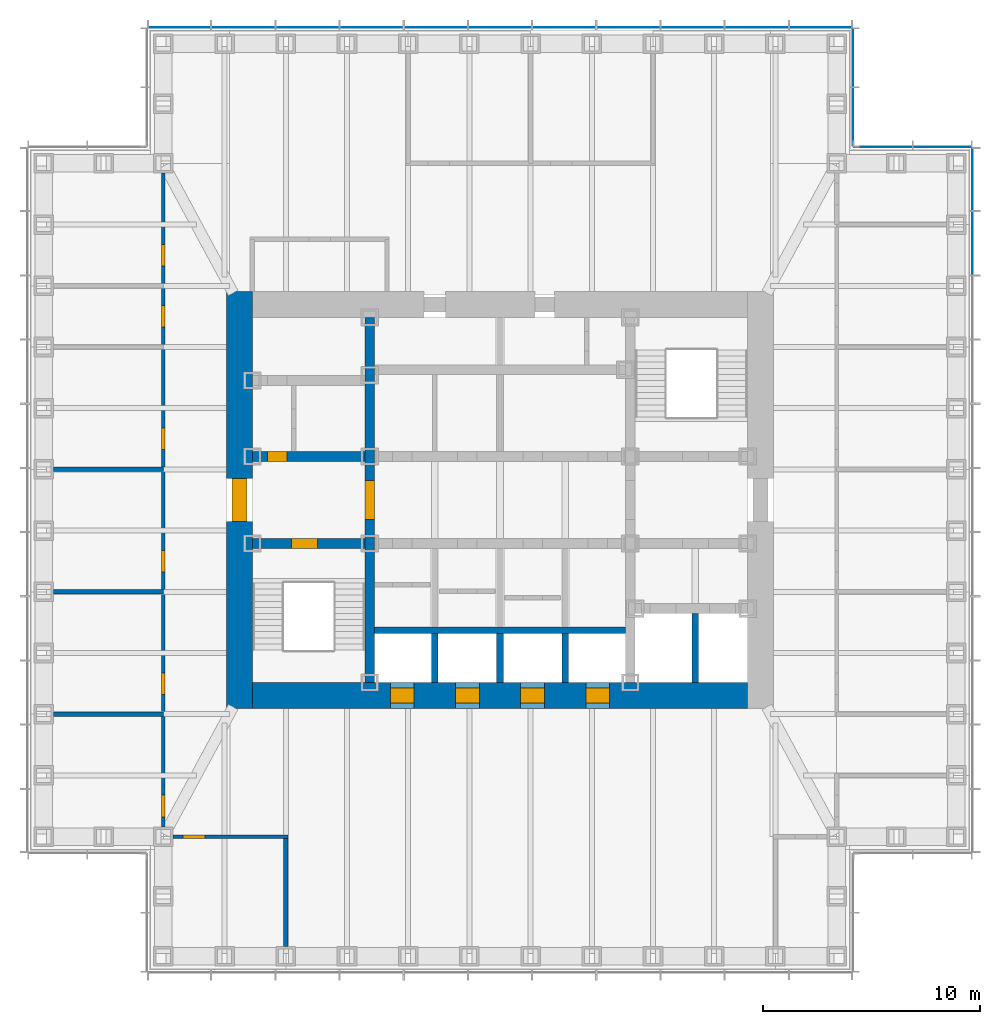
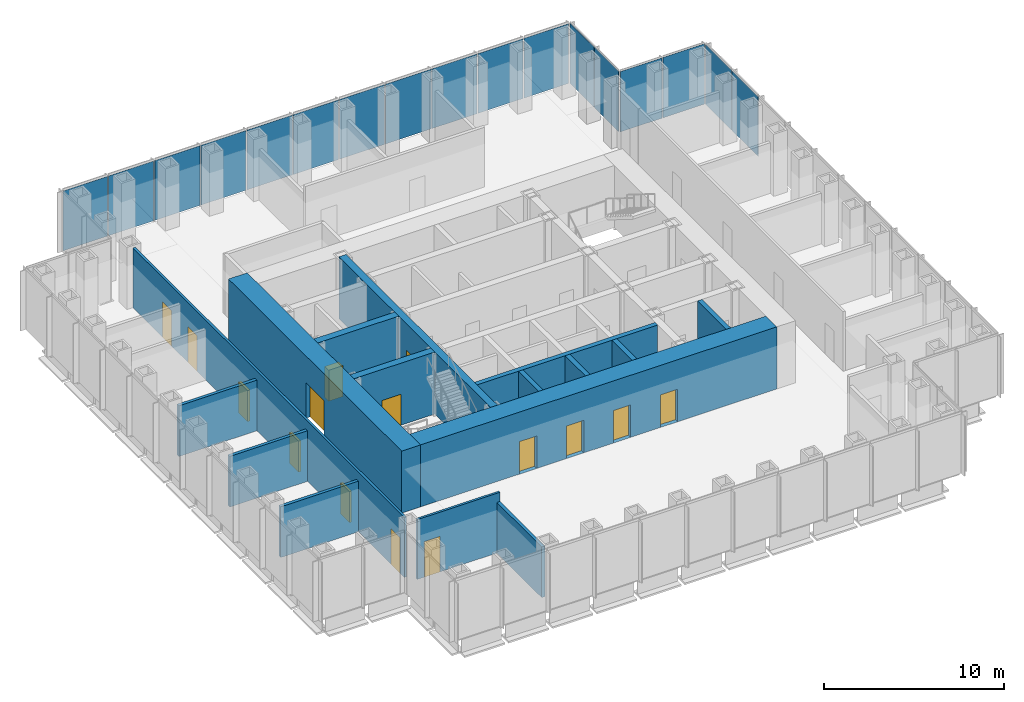
# One storey, part 8 of 16: 17 plates, 16 walls, 15 doors, 15 openings, 4 elements without a shape of their own.
"""IFC4 building model written with IfcOpenShell, lengths in metres."""

from ifc_helpers import new_model, si_unit, direction, frame, frame_2d, origin, origin_2d, place, context, subcontext, project, spatial, rectangle, extrude, material, layer, layer_set, type_object, element, fill, aggregate, save


model = new_model("IFC4")

# Units and contexts
model_context = context("Model", 3, precision=1e-05, world=origin(), true_north=direction((0.0, 1.0)))
body_context = subcontext(model_context, "Body", "Model", "MODEL_VIEW")
ifc_project = project(units=[si_unit("LENGTHUNIT", "METRE"), si_unit("AREAUNIT", "SQUARE_METRE"), si_unit("VOLUMEUNIT", "CUBIC_METRE"), si_unit("PLANEANGLEUNIT", "RADIAN"), si_unit("MASSUNIT", "GRAM", prefix="KILO")], contexts=[model_context])

# Site, building, storey
site_placement = place(None, origin())
site = spatial("IfcSite", under=ifc_project, at=site_placement, CompositionType="ELEMENT")
building_placement = place(site_placement, origin())
building = spatial("IfcBuilding", under=site, at=building_placement, Name="Daluyong Arena Tower", CompositionType="ELEMENT")
storey_placement = place(building_placement, frame((0.0, 0.0, 189.699951171875)))
storey = spatial("IfcBuildingStorey", under=building, at=storey_placement, Name="L42", CompositionType="ELEMENT", Elevation=189.699951171875)

# Curtain wall, plates
ifc_material_1 = material(Name="Bronze anodised aluminium and glass", Category="aluminium")
curtain_wall_type_1 = type_object("IfcCurtainWallType", Name="Curtain wall CW3", PredefinedType="USERDEFINED", material=ifc_material_1)
curtain_wall_1_placement = place(storey_placement, origin())
curtain_wall_1 = element("IfcCurtainWall", 1, at=curtain_wall_1_placement, inside=storey, type_object=curtain_wall_type_1, Name="curtain wall L42 E", ObjectType="UNITISED CURTAIN WALL", PredefinedType="USERDEFINED")
ifc_material_2 = material(Name="Tinted double glazed unit", Category="glass")
ifc_layer_1 = layer(ifc_material_2, 0.030029296875)
ifc_layer_set_1 = layer_set([ifc_layer_1], Name="Tinted double glazed unit")
plate_type_1 = type_object("IfcPlateType", Name="CW3 panel 30", PredefinedType="CURTAIN_PANEL", material=ifc_layer_set_1)
plate_1_placement = place(storey_placement, frame((77.75, 91.818115234375, 0.0), z_axis=(0.0, 0.0, 1.0), x_axis=(0.0, 1.0, 0.0)))
plate_1 = element("IfcPlate", 2, at=plate_1_placement, type_object=plate_type_1, Name="curtain wall L42 E panel 10", PredefinedType="CURTAIN_PANEL", context=body_context, shape_type="SweptSolid", body=[
    extrude(rectangle(XDim=2.884521484375, YDim=0.030029296875, at=origin_2d()), origin(), (0.0, 0.0, 1.0), 4.0400390625),
])
plate_2_placement = place(storey_placement, frame((77.75, 94.755126953125, 0.0), z_axis=(0.0, 0.0, 1.0), x_axis=(0.0, 1.0, 0.0)))
plate_2 = element("IfcPlate", 3, at=plate_2_placement, type_object=plate_type_1, Name="curtain wall L42 E panel 11", PredefinedType="CURTAIN_PANEL", context=body_context, shape_type="SweptSolid", body=[
    extrude(rectangle(XDim=2.849609375, YDim=0.030029296875, at=origin_2d()), origin(), (0.0, 0.0, 1.0), 4.0400390625),
])
aggregate(curtain_wall_1, [plate_1, plate_2])

curtain_wall_2_placement = place(storey_placement, origin())
curtain_wall_2 = element("IfcCurtainWall", 4, at=curtain_wall_2_placement, inside=storey, type_object=curtain_wall_type_1, Name="curtain wall L42 N", ObjectType="UNITISED CURTAIN WALL", PredefinedType="USERDEFINED")
plate_3_placement = place(storey_placement, frame((70.755126953125, 101.75, 0.0), z_axis=(0.0, 0.0, 1.0), x_axis=(-1.0, 0.0, 0.0)))
plate_3 = element("IfcPlate", 5, at=plate_3_placement, type_object=plate_type_1, Name="curtain wall L42 N panel 1", PredefinedType="CURTAIN_PANEL", context=body_context, shape_type="SweptSolid", body=[
    extrude(rectangle(XDim=2.849609375, YDim=0.030029296875, at=origin_2d()), origin(), (0.0, 0.0, 1.0), 4.0400390625),
])
plate_4_placement = place(storey_placement, frame((67.818115234375, 101.75, 0.0), z_axis=(0.0, 0.0, 1.0), x_axis=(-1.0, 0.0, 0.0)))
plate_4 = element("IfcPlate", 6, at=plate_4_placement, type_object=plate_type_1, Name="curtain wall L42 N panel 2", PredefinedType="CURTAIN_PANEL", context=body_context, shape_type="SweptSolid", body=[
    extrude(rectangle(XDim=2.884521484375, YDim=0.030029296875, at=origin_2d()), origin(), (0.0, 0.0, 1.0), 4.0400390625),
])
plate_5_placement = place(storey_placement, frame((64.863525390625, 101.75, 0.0), z_axis=(0.0, 0.0, 1.0), x_axis=(-1.0, 0.0, 0.0)))
plate_5 = element("IfcPlate", 7, at=plate_5_placement, type_object=plate_type_1, Name="curtain wall L42 N panel 3", PredefinedType="CURTAIN_PANEL", context=body_context, shape_type="SweptSolid", body=[
    extrude(rectangle(XDim=2.884521484375, YDim=0.030029296875, at=origin_2d()), origin(), (0.0, 0.0, 1.0), 4.0400390625),
])
plate_6_placement = place(storey_placement, frame((61.9091796875, 101.75, 0.0), z_axis=(0.0, 0.0, 1.0), x_axis=(-1.0, 0.0, 0.0)))
plate_6 = element("IfcPlate", 8, at=plate_6_placement, type_object=plate_type_1, Name="curtain wall L42 N panel 4", PredefinedType="CURTAIN_PANEL", context=body_context, shape_type="SweptSolid", body=[
    extrude(rectangle(XDim=2.884521484375, YDim=0.030029296875, at=origin_2d()), origin(), (0.0, 0.0, 1.0), 4.0400390625),
])
plate_7_placement = place(storey_placement, frame((58.95458984375, 101.75, 0.0), z_axis=(0.0, 0.0, 1.0), x_axis=(-1.0, 0.0, 0.0)))
plate_7 = element("IfcPlate", 9, at=plate_7_placement, type_object=plate_type_1, Name="curtain wall L42 N panel 5", PredefinedType="CURTAIN_PANEL", context=body_context, shape_type="SweptSolid", body=[
    extrude(rectangle(XDim=2.884521484375, YDim=0.030029296875, at=origin_2d()), origin(), (0.0, 0.0, 1.0), 4.0400390625),
])
plate_8_placement = place(storey_placement, frame((56.0, 101.75, 0.0), z_axis=(0.0, 0.0, 1.0), x_axis=(-1.0, 0.0, 0.0)))
plate_8 = element("IfcPlate", 10, at=plate_8_placement, type_object=plate_type_1, Name="curtain wall L42 N panel 6", PredefinedType="CURTAIN_PANEL", context=body_context, shape_type="SweptSolid", body=[
    extrude(rectangle(XDim=2.884521484375, YDim=0.030029296875, at=origin_2d()), origin(), (0.0, 0.0, 1.0), 4.0400390625),
])
plate_9_placement = place(storey_placement, frame((53.04541015625, 101.75, 0.0), z_axis=(0.0, 0.0, 1.0), x_axis=(-1.0, 0.0, 0.0)))
plate_9 = element("IfcPlate", 11, at=plate_9_placement, type_object=plate_type_1, Name="curtain wall L42 N panel 7", PredefinedType="CURTAIN_PANEL", context=body_context, shape_type="SweptSolid", body=[
    extrude(rectangle(XDim=2.884521484375, YDim=0.030029296875, at=origin_2d()), origin(), (0.0, 0.0, 1.0), 4.0400390625),
])
plate_10_placement = place(storey_placement, frame((50.0908203125, 101.75, 0.0), z_axis=(0.0, 0.0, 1.0), x_axis=(-1.0, 0.0, 0.0)))
plate_10 = element("IfcPlate", 12, at=plate_10_placement, type_object=plate_type_1, Name="curtain wall L42 N panel 8", PredefinedType="CURTAIN_PANEL", context=body_context, shape_type="SweptSolid", body=[
    extrude(rectangle(XDim=2.884521484375, YDim=0.030029296875, at=origin_2d()), origin(), (0.0, 0.0, 1.0), 4.0400390625),
])
plate_11_placement = place(storey_placement, frame((47.136474609375, 101.75, 0.0), z_axis=(0.0, 0.0, 1.0), x_axis=(-1.0, 0.0, 0.0)))
plate_11 = element("IfcPlate", 13, at=plate_11_placement, type_object=plate_type_1, Name="curtain wall L42 N panel 9", PredefinedType="CURTAIN_PANEL", context=body_context, shape_type="SweptSolid", body=[
    extrude(rectangle(XDim=2.884521484375, YDim=0.030029296875, at=origin_2d()), origin(), (0.0, 0.0, 1.0), 4.0400390625),
])
plate_12_placement = place(storey_placement, frame((44.181884765625, 101.75, 0.0), z_axis=(0.0, 0.0, 1.0), x_axis=(-1.0, 0.0, 0.0)))
plate_12 = element("IfcPlate", 14, at=plate_12_placement, type_object=plate_type_1, Name="curtain wall L42 N panel 10", PredefinedType="CURTAIN_PANEL", context=body_context, shape_type="SweptSolid", body=[
    extrude(rectangle(XDim=2.884521484375, YDim=0.030029296875, at=origin_2d()), origin(), (0.0, 0.0, 1.0), 4.0400390625),
])
plate_13_placement = place(storey_placement, frame((41.244873046875, 101.75, 0.0), z_axis=(0.0, 0.0, 1.0), x_axis=(-1.0, 0.0, 0.0)))
plate_13 = element("IfcPlate", 15, at=plate_13_placement, type_object=plate_type_1, Name="curtain wall L42 N panel 11", PredefinedType="CURTAIN_PANEL", context=body_context, shape_type="SweptSolid", body=[
    extrude(rectangle(XDim=2.849609375, YDim=0.030029296875, at=origin_2d()), origin(), (0.0, 0.0, 1.0), 4.0400390625),
])
aggregate(curtain_wall_2, [plate_3, plate_4, plate_5, plate_6, plate_7, plate_8, plate_9, plate_10, plate_11, plate_12, plate_13])

ifc_material_3 = material(Name="Bronze anodised aluminium and glass", Category="aluminium")
curtain_wall_type_2 = type_object("IfcCurtainWallType", Name="Curtain wall CW7", PredefinedType="USERDEFINED", material=ifc_material_3)
curtain_wall_3_placement = place(storey_placement, origin())
curtain_wall_3 = element("IfcCurtainWall", 16, at=curtain_wall_3_placement, inside=storey, type_object=curtain_wall_type_2, Name="curtain wall L42 NE-N", ObjectType="UNITISED CURTAIN WALL", PredefinedType="USERDEFINED")
ifc_material_4 = material(Name="Tinted double glazed unit", Category="glass")
ifc_layer_2 = layer(ifc_material_4, 0.028076171875)
ifc_layer_set_2 = layer_set([ifc_layer_2], Name="Tinted double glazed unit")
plate_type_2 = type_object("IfcPlateType", Name="CW7 panel 28", PredefinedType="CURTAIN_PANEL", material=ifc_layer_set_2)
plate_14_placement = place(storey_placement, frame((76.360107421875, 96.25, 0.0), z_axis=(0.0, 0.0, 1.0), x_axis=(-1.0, 0.0, 0.0)))
plate_14 = element("IfcPlate", 17, at=plate_14_placement, type_object=plate_type_2, Name="curtain wall L42 NE-N panel 1", PredefinedType="CURTAIN_PANEL", context=body_context, shape_type="SweptSolid", body=[
    extrude(rectangle(XDim=2.659912109375, YDim=0.028076171875, at=origin_2d()), origin(), (0.0, 0.0, 1.0), 4.080078125),
])
plate_15_placement = place(storey_placement, frame((73.639892578125, 96.25, 0.0), z_axis=(0.0, 0.0, 1.0), x_axis=(-1.0, 0.0, 0.0)))
plate_15 = element("IfcPlate", 18, at=plate_15_placement, type_object=plate_type_2, Name="curtain wall L42 NE-N panel 2", PredefinedType="CURTAIN_PANEL", context=body_context, shape_type="SweptSolid", body=[
    extrude(rectangle(XDim=2.659912109375, YDim=0.028076171875, at=origin_2d()), origin(), (0.0, 0.0, 1.0), 4.080078125),
])
aggregate(curtain_wall_3, [plate_14, plate_15])

curtain_wall_4_placement = place(storey_placement, origin())
curtain_wall_4 = element("IfcCurtainWall", 19, at=curtain_wall_4_placement, inside=storey, type_object=curtain_wall_type_2, Name="curtain wall L42 NE-E", ObjectType="UNITISED CURTAIN WALL", PredefinedType="USERDEFINED")
plate_16_placement = place(storey_placement, frame((72.25, 97.639892578125, 0.0), z_axis=(0.0, 0.0, 1.0), x_axis=(0.0, 1.0, 0.0)))
plate_16 = element("IfcPlate", 20, at=plate_16_placement, type_object=plate_type_2, Name="curtain wall L42 NE-E panel 1", PredefinedType="CURTAIN_PANEL", context=body_context, shape_type="SweptSolid", body=[
    extrude(rectangle(XDim=2.659912109375, YDim=0.028076171875, at=origin_2d()), origin(), (0.0, 0.0, 1.0), 4.080078125),
])
plate_17_placement = place(storey_placement, frame((72.25, 100.360107421875, 0.0), z_axis=(0.0, 0.0, 1.0), x_axis=(0.0, 1.0, 0.0)))
plate_17 = element("IfcPlate", 21, at=plate_17_placement, type_object=plate_type_2, Name="curtain wall L42 NE-E panel 2", PredefinedType="CURTAIN_PANEL", context=body_context, shape_type="SweptSolid", body=[
    extrude(rectangle(XDim=2.659912109375, YDim=0.028076171875, at=origin_2d()), origin(), (0.0, 0.0, 1.0), 4.080078125),
])
aggregate(curtain_wall_4, [plate_16, plate_17])

# Wall, opening, door
ifc_material_5 = material(Name="Concrete fc' 45 MPa", Category="concrete")
ifc_layer_3 = layer(ifc_material_5, 0.449951171875)
ifc_layer_set_3 = layer_set([ifc_layer_3], Name="Concrete fc' 45 MPa")
wall_type_1 = type_object("IfcWallType", Name="Core inner wall 450", PredefinedType="SHEAR", material=ifc_layer_set_3)
wall_1_placement = place(storey_placement, frame((50.0, 71.60009765625, 0.0), z_axis=(0.0, 0.0, 1.0), x_axis=(0.0, 1.0, 0.0)))
wall_1 = element("IfcWall", 22, at=wall_1_placement, inside=storey, type_object=wall_type_1, Name="core inner wall at L42", PredefinedType="SHEAR", context=body_context, shape_type="SweptSolid", body=[
    extrude(rectangle(XDim=16.7998046875, YDim=0.449951171875, at=frame_2d((8.39990234375, 0.0))), origin(), (0.0, 0.0, 1.0), 4.199951171875),
])
opening_1_placement = place(wall_1_placement, frame((7.5, 0.0, 0.0)))
opening_1 = element("IfcOpeningElement", 23, at=opening_1_placement, cuts=wall_1, Name="Opening 42022", PredefinedType="OPENING", context=body_context, shape_type="SweptSolid", body=[
    extrude(rectangle(XDim=1.800048828125, YDim=2.39990234375, at=frame_2d((0.89990234375, 1.199951171875))), frame((0.0, 0.23486328125, 0.0), z_axis=(0.0, -1.0, 0.0), x_axis=(1.0, 0.0, 0.0)), (0.0, 0.0, 1.0), 0.469970703125),
])
ifc_material_6 = material(Name="Steel door, fire rated", Category="steel")
door_type_1 = type_object("IfcDoorType", Name="Lift lobby opening door 1800", OperationType="DOUBLE_DOOR_SINGLE_SWING", PredefinedType="DOOR", material=ifc_material_6)
door_1_placement = place(opening_1_placement, origin())
door_1 = element("IfcDoor", 24, at=door_1_placement, inside=storey, type_object=door_type_1, Name="lift lobby door west 42022", OperationType="DOUBLE_DOOR_SINGLE_SWING", OverallHeight=2.39990234375, OverallWidth=1.800048828125, PredefinedType="DOOR", context=body_context, shape_type="SweptSolid", body=[
    extrude(rectangle(XDim=1.800048828125, YDim=2.39990234375, at=frame_2d((0.89990234375, 1.199951171875))), frame((0.0, 0.224609375, 0.0), z_axis=(0.0, -1.0, 0.0), x_axis=(1.0, 0.0, 0.0)), (0.0, 0.0, 1.0), 0.449462890625),
])
fill(opening_1, door_1)

wall_2_placement = place(storey_placement, frame((44.60009765625, 78.0, 0.0), z_axis=(0.0, 0.0, 1.0), x_axis=(1.0, 0.0, 0.0)))
wall_2 = element("IfcWall", 25, at=wall_2_placement, inside=storey, type_object=wall_type_1, Name="core inner wall at L42", PredefinedType="SHEAR", context=body_context, shape_type="SweptSolid", body=[
    extrude(rectangle(XDim=5.1748046875, YDim=0.449951171875, at=frame_2d((2.58740234375, 0.0))), origin(), (0.0, 0.0, 1.0), 4.199951171875),
])
opening_2_placement = place(wall_2_placement, frame((1.800048828125, 0.0, 0.0)))
opening_2 = element("IfcOpeningElement", 26, at=opening_2_placement, cuts=wall_2, Name="Opening 42018", PredefinedType="OPENING", context=body_context, shape_type="SweptSolid", body=[
    extrude(rectangle(XDim=1.199951171875, YDim=2.10009765625, at=frame_2d((0.60009765625, 1.050048828125))), frame((0.0, 0.23486328125, 0.0), z_axis=(0.0, -1.0, 0.0), x_axis=(1.0, 0.0, 0.0)), (0.0, 0.0, 1.0), 0.469970703125),
])
ifc_material_7 = material(Name="Steel door, fire rated", Category="steel")
door_type_2 = type_object("IfcDoorType", Name="Stair door 1200", OperationType="SINGLE_SWING_LEFT", PredefinedType="DOOR", material=ifc_material_7)
door_2_placement = place(opening_2_placement, origin())
door_2 = element("IfcDoor", 27, at=door_2_placement, inside=storey, type_object=door_type_2, Name="stair A door 42018", OperationType="SINGLE_SWING_LEFT", OverallHeight=2.10009765625, OverallWidth=1.199951171875, PredefinedType="DOOR", context=body_context, shape_type="SweptSolid", body=[
    extrude(rectangle(XDim=1.199951171875, YDim=2.10009765625, at=frame_2d((0.60009765625, 1.050048828125))), frame((0.0, 0.224609375, 0.0), z_axis=(0.0, -1.0, 0.0), x_axis=(1.0, 0.0, 0.0)), (0.0, 0.0, 1.0), 0.449462890625),
])
fill(opening_2, door_2)

wall_3_placement = place(storey_placement, frame((44.60009765625, 82.0, 0.0), z_axis=(0.0, 0.0, 1.0), x_axis=(1.0, 0.0, 0.0)))
wall_3 = element("IfcWall", 28, at=wall_3_placement, inside=storey, type_object=wall_type_1, Name="core inner wall at L42", PredefinedType="SHEAR", context=body_context, shape_type="SweptSolid", body=[
    extrude(rectangle(XDim=5.1748046875, YDim=0.449951171875, at=frame_2d((2.58740234375, 0.0))), origin(), (0.0, 0.0, 1.0), 4.199951171875),
])
opening_3_placement = place(wall_3_placement, frame((0.699951171875, 0.0, 0.0)))
opening_3 = element("IfcOpeningElement", 29, at=opening_3_placement, cuts=wall_3, Name="Opening 42001", PredefinedType="OPENING", context=body_context, shape_type="SweptSolid", body=[
    extrude(rectangle(XDim=0.89990234375, YDim=2.10009765625, at=frame_2d((0.449951171875, 1.050048828125))), frame((0.0, 0.23486328125, 0.0), z_axis=(0.0, -1.0, 0.0), x_axis=(1.0, 0.0, 0.0)), (0.0, 0.0, 1.0), 0.469970703125),
])
ifc_material_8 = material(Name="Steel door, fire rated", Category="steel")
door_type_3 = type_object("IfcDoorType", Name="Core room door 900", OperationType="SINGLE_SWING_LEFT", PredefinedType="DOOR", material=ifc_material_8)
door_3_placement = place(opening_3_placement, origin())
door_3 = element("IfcDoor", 30, at=door_3_placement, inside=storey, type_object=door_type_3, Name="toilet lobby door 42001", OperationType="SINGLE_SWING_LEFT", OverallHeight=2.10009765625, OverallWidth=0.89990234375, PredefinedType="DOOR", context=body_context, shape_type="SweptSolid", body=[
    extrude(rectangle(XDim=0.89990234375, YDim=2.10009765625, at=frame_2d((0.449951171875, 1.050048828125))), frame((0.0, 0.224609375, 0.0), z_axis=(0.0, -1.0, 0.0), x_axis=(1.0, 0.0, 0.0)), (0.0, 0.0, 1.0), 0.449462890625),
])
fill(opening_3, door_3)

ifc_material_9 = material(Name="Concrete fc' 60 MPa", Category="concrete")
ifc_layer_4 = layer(ifc_material_9, 1.199951171875)
ifc_layer_set_4 = layer_set([ifc_layer_4], Name="Concrete fc' 60 MPa")
wall_type_2 = type_object("IfcWallType", Name="Core wall 1200", PredefinedType="SHEAR", material=ifc_layer_set_4)
wall_4_placement = place(storey_placement, frame((44.0, 70.39990234375, 0.0), z_axis=(0.0, 0.0, 1.0), x_axis=(0.0, 1.0, 0.0)))
wall_4 = element("IfcWall", 31, at=wall_4_placement, inside=storey, type_object=wall_type_2, Name="core wall at L42", PredefinedType="SHEAR", context=body_context, shape_type="SweptSolid", body=[
    extrude(rectangle(XDim=19.2001953125, YDim=1.199951171875, at=frame_2d((9.60009765625, 0.0))), origin(), (0.0, 0.0, 1.0), 4.199951171875),
])
opening_4_placement = place(wall_4_placement, frame((8.60009765625, 0.0, 0.0)))
opening_4 = element("IfcOpeningElement", 32, at=opening_4_placement, cuts=wall_4, Name="Opening 42020", PredefinedType="OPENING", context=body_context, shape_type="SweptSolid", body=[
    extrude(rectangle(XDim=2.0, YDim=2.39990234375, at=frame_2d((1.0, 1.199951171875))), frame((0.0, 0.60986328125, 0.0), z_axis=(0.0, -1.0, 0.0), x_axis=(1.0, 0.0, 0.0)), (0.0, 0.0, 1.0), 1.219970703125),
])
ifc_material_10 = material(Name="Steel door, fire rated", Category="steel")
door_type_4 = type_object("IfcDoorType", Name="Core lobby double door 2000", OperationType="DOUBLE_DOOR_SINGLE_SWING", PredefinedType="DOOR", material=ifc_material_10)
door_4_placement = place(opening_4_placement, origin())
door_4 = element("IfcDoor", 33, at=door_4_placement, inside=storey, type_object=door_type_4, Name="core lobby door west 42020", OperationType="DOUBLE_DOOR_SINGLE_SWING", OverallHeight=2.39990234375, OverallWidth=2.0, PredefinedType="DOOR", context=body_context, shape_type="SweptSolid", body=[
    extrude(rectangle(XDim=2.0, YDim=2.39990234375, at=frame_2d((1.0, 1.199951171875))), frame((0.0, 0.35009765625, 0.0), z_axis=(0.0, -1.0, 0.0), x_axis=(1.0, 0.0, 0.0)), (0.0, 0.0, 1.0), 0.699951171875),
])
fill(opening_4, door_4)

# Wall, openings, doors
wall_5_placement = place(storey_placement, frame((44.60009765625, 71.0, 0.0), z_axis=(0.0, 0.0, 1.0), x_axis=(1.0, 0.0, 0.0)))
wall_5 = element("IfcWall", 34, at=wall_5_placement, inside=storey, type_object=wall_type_2, Name="core wall at L42", PredefinedType="SHEAR", context=body_context, shape_type="SweptSolid", body=[
    extrude(rectangle(XDim=22.7998046875, YDim=1.199951171875, at=frame_2d((11.39990234375, 0.0))), origin(), (0.0, 0.0, 1.0), 4.199951171875),
])
opening_5_placement = place(wall_5_placement, frame((6.35009765625, 0.0, 0.0)))
opening_5 = element("IfcOpeningElement", 35, at=opening_5_placement, cuts=wall_5, Name="Opening 42025", PredefinedType="OPENING", context=body_context, shape_type="SweptSolid", body=[
    extrude(rectangle(XDim=1.10009765625, YDim=2.199951171875, at=frame_2d((0.550048828125, 1.10009765625))), frame((0.0, 0.60986328125, 0.0), z_axis=(0.0, -1.0, 0.0), x_axis=(1.0, 0.0, 0.0)), (0.0, 0.0, 1.0), 1.219970703125),
])
opening_6_placement = place(wall_5_placement, frame((9.35009765625, 0.0, 0.0)))
opening_6 = element("IfcOpeningElement", 36, at=opening_6_placement, cuts=wall_5, Name="Opening 42026", PredefinedType="OPENING", context=body_context, shape_type="SweptSolid", body=[
    extrude(rectangle(XDim=1.10009765625, YDim=2.199951171875, at=frame_2d((0.550048828125, 1.10009765625))), frame((0.0, 0.60986328125, 0.0), z_axis=(0.0, -1.0, 0.0), x_axis=(1.0, 0.0, 0.0)), (0.0, 0.0, 1.0), 1.219970703125),
])
opening_7_placement = place(wall_5_placement, frame((12.35009765625, 0.0, 0.0)))
opening_7 = element("IfcOpeningElement", 37, at=opening_7_placement, cuts=wall_5, Name="Opening 42027", PredefinedType="OPENING", context=body_context, shape_type="SweptSolid", body=[
    extrude(rectangle(XDim=1.10009765625, YDim=2.199951171875, at=frame_2d((0.550048828125, 1.10009765625))), frame((0.0, 0.60986328125, 0.0), z_axis=(0.0, -1.0, 0.0), x_axis=(1.0, 0.0, 0.0)), (0.0, 0.0, 1.0), 1.219970703125),
])
opening_8_placement = place(wall_5_placement, frame((15.35009765625, 0.0, 0.0)))
opening_8 = element("IfcOpeningElement", 38, at=opening_8_placement, cuts=wall_5, Name="Opening 42028", PredefinedType="OPENING", context=body_context, shape_type="SweptSolid", body=[
    extrude(rectangle(XDim=1.10009765625, YDim=2.199951171875, at=frame_2d((0.550048828125, 1.10009765625))), frame((0.0, 0.60986328125, 0.0), z_axis=(0.0, -1.0, 0.0), x_axis=(1.0, 0.0, 0.0)), (0.0, 0.0, 1.0), 1.219970703125),
])
ifc_material_11 = material(Name="Steel door, fire rated", Category="steel")
door_type_5 = type_object("IfcDoorType", Name="Lift landing door 1100", OperationType="SLIDING_TO_LEFT", PredefinedType="DOOR", material=ifc_material_11)
door_5_placement = place(opening_5_placement, origin())
door_5 = element("IfcDoor", 39, at=door_5_placement, inside=storey, type_object=door_type_5, Name="lift landing door C1 42025", OperationType="SLIDING_TO_LEFT", OverallHeight=2.199951171875, OverallWidth=1.10009765625, PredefinedType="DOOR", context=body_context, shape_type="SweptSolid", body=[
    extrude(rectangle(XDim=1.10009765625, YDim=2.199951171875, at=frame_2d((0.550048828125, 1.10009765625))), frame((0.0, 0.35009765625, 0.0), z_axis=(0.0, -1.0, 0.0), x_axis=(1.0, 0.0, 0.0)), (0.0, 0.0, 1.0), 0.699951171875),
])
fill(opening_5, door_5)
door_6_placement = place(opening_6_placement, origin())
door_6 = element("IfcDoor", 40, at=door_6_placement, inside=storey, type_object=door_type_5, Name="lift landing door C2 42026", OperationType="SLIDING_TO_LEFT", OverallHeight=2.199951171875, OverallWidth=1.10009765625, PredefinedType="DOOR", context=body_context, shape_type="SweptSolid", body=[
    extrude(rectangle(XDim=1.10009765625, YDim=2.199951171875, at=frame_2d((0.550048828125, 1.10009765625))), frame((0.0, 0.35009765625, 0.0), z_axis=(0.0, -1.0, 0.0), x_axis=(1.0, 0.0, 0.0)), (0.0, 0.0, 1.0), 0.699951171875),
])
fill(opening_6, door_6)
door_7_placement = place(opening_7_placement, origin())
door_7 = element("IfcDoor", 41, at=door_7_placement, inside=storey, type_object=door_type_5, Name="lift landing door C3 42027", OperationType="SLIDING_TO_LEFT", OverallHeight=2.199951171875, OverallWidth=1.10009765625, PredefinedType="DOOR", context=body_context, shape_type="SweptSolid", body=[
    extrude(rectangle(XDim=1.10009765625, YDim=2.199951171875, at=frame_2d((0.550048828125, 1.10009765625))), frame((0.0, 0.35009765625, 0.0), z_axis=(0.0, -1.0, 0.0), x_axis=(1.0, 0.0, 0.0)), (0.0, 0.0, 1.0), 0.699951171875),
])
fill(opening_7, door_7)
door_8_placement = place(opening_8_placement, origin())
door_8 = element("IfcDoor", 42, at=door_8_placement, inside=storey, type_object=door_type_5, Name="lift landing door C4 42028", OperationType="SLIDING_TO_LEFT", OverallHeight=2.199951171875, OverallWidth=1.10009765625, PredefinedType="DOOR", context=body_context, shape_type="SweptSolid", body=[
    extrude(rectangle(XDim=1.10009765625, YDim=2.199951171875, at=frame_2d((0.550048828125, 1.10009765625))), frame((0.0, 0.35009765625, 0.0), z_axis=(0.0, -1.0, 0.0), x_axis=(1.0, 0.0, 0.0)), (0.0, 0.0, 1.0), 0.699951171875),
])
fill(opening_8, door_8)

# Wall, opening, door
ifc_material_12 = material(Name="Glazed aluminium partition", Category="aluminium")
ifc_layer_5 = layer(ifc_material_12, 0.14990234375)
ifc_layer_set_5 = layer_set([ifc_layer_5], Name="Glazed aluminium partition")
wall_type_3 = type_object("IfcWallType", Name="Glazed partition 150", PredefinedType="PARTITIONING", material=ifc_layer_set_5)
wall_6_placement = place(storey_placement, frame((40.949951171875, 64.5, 0.0), z_axis=(0.0, 0.0, 1.0), x_axis=(1.0, 0.0, 0.0)))
wall_6 = element("IfcWall", 43, at=wall_6_placement, inside=storey, type_object=wall_type_3, Name="glazed partition at L42", PredefinedType="PARTITIONING", context=body_context, shape_type="SweptSolid", body=[
    extrude(rectangle(XDim=5.286376953125, YDim=0.14990234375, at=frame_2d((2.64306640625, 0.0))), origin(), (0.0, 0.0, 1.0), 4.0400390625),
])
opening_9_placement = place(wall_6_placement, frame((0.458984375, 0.0, 0.0)))
opening_9 = element("IfcOpeningElement", 44, at=opening_9_placement, cuts=wall_6, Name="Opening 42031", PredefinedType="OPENING", context=body_context, shape_type="SweptSolid", body=[
    extrude(rectangle(XDim=1.0, YDim=2.39990234375, at=frame_2d((0.5, 1.199951171875))), frame((0.0, 0.0849609375, 0.0), z_axis=(0.0, -1.0, 0.0), x_axis=(1.0, 0.0, 0.0)), (0.0, 0.0, 1.0), 0.169921875),
])
ifc_material_13 = material(Name="Glazed aluminium door", Category="aluminium")
door_type_6 = type_object("IfcDoorType", Name="Meeting room glazed door 1000", OperationType="SINGLE_SWING_RIGHT", PredefinedType="DOOR", material=ifc_material_13)
door_9_placement = place(opening_9_placement, origin())
door_9 = element("IfcDoor", 45, at=door_9_placement, inside=storey, type_object=door_type_6, Name="meeting room door 42031", OperationType="SINGLE_SWING_RIGHT", OverallHeight=2.39990234375, OverallWidth=1.0, PredefinedType="DOOR", context=body_context, shape_type="SweptSolid", body=[
    extrude(rectangle(XDim=1.0, YDim=2.39990234375, at=frame_2d((0.5, 1.199951171875))), frame((0.0, 0.07470703125, 0.0), z_axis=(0.0, -1.0, 0.0), x_axis=(1.0, 0.0, 0.0)), (0.0, 0.0, 1.0), 0.1494140625),
])
fill(opening_9, door_9)

# Wall, openings, doors
wall_7_placement = place(storey_placement, frame((40.5, 64.949951171875, 0.0), z_axis=(0.0, 0.0, 1.0), x_axis=(0.0, 1.0, 0.0)))
wall_7 = element("IfcWall", 46, at=wall_7_placement, inside=storey, type_object=wall_type_3, Name="glazed partition at L42", PredefinedType="PARTITIONING", context=body_context, shape_type="SweptSolid", body=[
    extrude(rectangle(XDim=30.10009765625, YDim=0.14990234375, at=frame_2d((15.050048828125, 0.0))), origin(), (0.0, 0.0, 1.0), 4.0400390625),
])
opening_10_placement = place(wall_7_placement, frame((0.458984375, 0.0, 0.0)))
opening_10 = element("IfcOpeningElement", 47, at=opening_10_placement, cuts=wall_7, Name="Opening 42041", PredefinedType="OPENING", context=body_context, shape_type="SweptSolid", body=[
    extrude(rectangle(XDim=1.0, YDim=2.39990234375, at=frame_2d((0.5, 1.199951171875))), frame((0.0, 0.0849609375, 0.0), z_axis=(0.0, -1.0, 0.0), x_axis=(1.0, 0.0, 0.0)), (0.0, 0.0, 1.0), 0.169921875),
])
opening_11_placement = place(wall_7_placement, frame((6.095458984375, 0.0, 0.0)))
opening_11 = element("IfcOpeningElement", 48, at=opening_11_placement, cuts=wall_7, Name="Opening 42042", PredefinedType="OPENING", context=body_context, shape_type="SweptSolid", body=[
    extrude(rectangle(XDim=1.0, YDim=2.10009765625, at=frame_2d((0.5, 1.050048828125))), frame((0.0, 0.0849609375, 0.0), z_axis=(0.0, -1.0, 0.0), x_axis=(1.0, 0.0, 0.0)), (0.0, 0.0, 1.0), 0.169921875),
])
opening_12_placement = place(wall_7_placement, frame((11.731689453125, 0.0, 0.0)))
opening_12 = element("IfcOpeningElement", 49, at=opening_12_placement, cuts=wall_7, Name="Opening 42043", PredefinedType="OPENING", context=body_context, shape_type="SweptSolid", body=[
    extrude(rectangle(XDim=1.0, YDim=2.10009765625, at=frame_2d((0.5, 1.050048828125))), frame((0.0, 0.0849609375, 0.0), z_axis=(0.0, -1.0, 0.0), x_axis=(1.0, 0.0, 0.0)), (0.0, 0.0, 1.0), 0.169921875),
])
opening_13_placement = place(wall_7_placement, frame((17.3681640625, 0.0, 0.0)))
opening_13 = element("IfcOpeningElement", 50, at=opening_13_placement, cuts=wall_7, Name="Opening 42044", PredefinedType="OPENING", context=body_context, shape_type="SweptSolid", body=[
    extrude(rectangle(XDim=1.0, YDim=2.10009765625, at=frame_2d((0.5, 1.050048828125))), frame((0.0, 0.0849609375, 0.0), z_axis=(0.0, -1.0, 0.0), x_axis=(1.0, 0.0, 0.0)), (0.0, 0.0, 1.0), 0.169921875),
])
opening_14_placement = place(wall_7_placement, frame((23.00439453125, 0.0, 0.0)))
opening_14 = element("IfcOpeningElement", 51, at=opening_14_placement, cuts=wall_7, Name="Opening 42045", PredefinedType="OPENING", context=body_context, shape_type="SweptSolid", body=[
    extrude(rectangle(XDim=1.0, YDim=2.39990234375, at=frame_2d((0.5, 1.199951171875))), frame((0.0, 0.0849609375, 0.0), z_axis=(0.0, -1.0, 0.0), x_axis=(1.0, 0.0, 0.0)), (0.0, 0.0, 1.0), 0.169921875),
])
opening_15_placement = place(wall_7_placement, frame((25.82275390625, 0.0, 0.0)))
opening_15 = element("IfcOpeningElement", 52, at=opening_15_placement, cuts=wall_7, Name="Opening 42046", PredefinedType="OPENING", context=body_context, shape_type="SweptSolid", body=[
    extrude(rectangle(XDim=1.0, YDim=2.39990234375, at=frame_2d((0.5, 1.199951171875))), frame((0.0, 0.0849609375, 0.0), z_axis=(0.0, -1.0, 0.0), x_axis=(1.0, 0.0, 0.0)), (0.0, 0.0, 1.0), 0.169921875),
])
door_10_placement = place(opening_10_placement, origin())
door_10 = element("IfcDoor", 53, at=door_10_placement, inside=storey, type_object=door_type_6, Name="meeting room door 42041", OperationType="SINGLE_SWING_RIGHT", OverallHeight=2.39990234375, OverallWidth=1.0, PredefinedType="DOOR", context=body_context, shape_type="SweptSolid", body=[
    extrude(rectangle(XDim=1.0, YDim=2.39990234375, at=frame_2d((0.5, 1.199951171875))), frame((0.0, 0.07470703125, 0.0), z_axis=(0.0, -1.0, 0.0), x_axis=(1.0, 0.0, 0.0)), (0.0, 0.0, 1.0), 0.1494140625),
])
fill(opening_10, door_10)
door_11_placement = place(opening_14_placement, origin())
door_11 = element("IfcDoor", 54, at=door_11_placement, inside=storey, type_object=door_type_6, Name="focus room door 42045", OperationType="SINGLE_SWING_RIGHT", OverallHeight=2.39990234375, OverallWidth=1.0, PredefinedType="DOOR", context=body_context, shape_type="SweptSolid", body=[
    extrude(rectangle(XDim=1.0, YDim=2.39990234375, at=frame_2d((0.5, 1.199951171875))), frame((0.0, 0.07470703125, 0.0), z_axis=(0.0, -1.0, 0.0), x_axis=(1.0, 0.0, 0.0)), (0.0, 0.0, 1.0), 0.1494140625),
])
fill(opening_14, door_11)
door_12_placement = place(opening_15_placement, origin())
door_12 = element("IfcDoor", 55, at=door_12_placement, inside=storey, type_object=door_type_6, Name="meeting room door 42046", OperationType="SINGLE_SWING_RIGHT", OverallHeight=2.39990234375, OverallWidth=1.0, PredefinedType="DOOR", context=body_context, shape_type="SweptSolid", body=[
    extrude(rectangle(XDim=1.0, YDim=2.39990234375, at=frame_2d((0.5, 1.199951171875))), frame((0.0, 0.07470703125, 0.0), z_axis=(0.0, -1.0, 0.0), x_axis=(1.0, 0.0, 0.0)), (0.0, 0.0, 1.0), 0.1494140625),
])
fill(opening_15, door_12)
ifc_material_14 = material(Name="Timber door", Category="wood")
door_type_7 = type_object("IfcDoorType", Name="Room door 1000", OperationType="SINGLE_SWING_LEFT", PredefinedType="DOOR", material=ifc_material_14)
door_13_placement = place(opening_11_placement, origin())
door_13 = element("IfcDoor", 56, at=door_13_placement, inside=storey, type_object=door_type_7, Name="office door 42042", OperationType="SINGLE_SWING_LEFT", OverallHeight=2.10009765625, OverallWidth=1.0, PredefinedType="DOOR", context=body_context, shape_type="SweptSolid", body=[
    extrude(rectangle(XDim=1.0, YDim=2.10009765625, at=frame_2d((0.5, 1.050048828125))), frame((0.0, 0.07470703125, 0.0), z_axis=(0.0, -1.0, 0.0), x_axis=(1.0, 0.0, 0.0)), (0.0, 0.0, 1.0), 0.1494140625),
])
fill(opening_11, door_13)
door_14_placement = place(opening_12_placement, origin())
door_14 = element("IfcDoor", 57, at=door_14_placement, inside=storey, type_object=door_type_7, Name="office door 42043", OperationType="SINGLE_SWING_LEFT", OverallHeight=2.10009765625, OverallWidth=1.0, PredefinedType="DOOR", context=body_context, shape_type="SweptSolid", body=[
    extrude(rectangle(XDim=1.0, YDim=2.10009765625, at=frame_2d((0.5, 1.050048828125))), frame((0.0, 0.07470703125, 0.0), z_axis=(0.0, -1.0, 0.0), x_axis=(1.0, 0.0, 0.0)), (0.0, 0.0, 1.0), 0.1494140625),
])
fill(opening_12, door_14)
door_15_placement = place(opening_13_placement, origin())
door_15 = element("IfcDoor", 58, at=door_15_placement, inside=storey, type_object=door_type_7, Name="office door 42044", OperationType="SINGLE_SWING_LEFT", OverallHeight=2.10009765625, OverallWidth=1.0, PredefinedType="DOOR", context=body_context, shape_type="SweptSolid", body=[
    extrude(rectangle(XDim=1.0, YDim=2.10009765625, at=frame_2d((0.5, 1.050048828125))), frame((0.0, 0.07470703125, 0.0), z_axis=(0.0, -1.0, 0.0), x_axis=(1.0, 0.0, 0.0)), (0.0, 0.0, 1.0), 0.1494140625),
])
fill(opening_13, door_15)

# Walls
ifc_material_15 = material(Name="Concrete fc' 45 MPa", Category="concrete")
ifc_layer_6 = layer(ifc_material_15, 0.300048828125)
ifc_layer_set_6 = layer_set([ifc_layer_6], Name="Concrete fc' 45 MPa")
wall_type_4 = type_object("IfcWallType", Name="Lift shaft wall 300", PredefinedType="SHEAR", material=ifc_layer_set_6)
wall_8_placement = place(storey_placement, frame((50.22509765625, 74.0, 0.0), z_axis=(0.0, 0.0, 1.0), x_axis=(1.0, 0.0, 0.0)))
element("IfcWall", 59, at=wall_8_placement, inside=storey, type_object=wall_type_4, Name="lift shaft wall at L42", PredefinedType="SHEAR", context=body_context, shape_type="SweptSolid", body=[
    extrude(rectangle(XDim=11.5498046875, YDim=0.300048828125, at=frame_2d((5.77490234375, 0.0))), origin(), (0.0, 0.0, 1.0), 4.199951171875),
])
for number, where, z_axis, x_axis, name in (
    (60, (53.0, 71.60009765625, 0.0), (0.0, 0.0, 1.0), (0.0, 1.0, 0.0), "lift shaft wall at L42"),
    (61, (56.0, 71.60009765625, 0.0), (0.0, 0.0, 1.0), (0.0, 1.0, 0.0), "lift shaft wall at L42"),
    (62, (59.0, 71.60009765625, 0.0), (0.0, 0.0, 1.0), (0.0, 1.0, 0.0), "lift shaft wall at L42"),
):
    element("IfcWall", number, at=place(storey_placement, frame(where, z_axis=z_axis, x_axis=x_axis)), inside=storey, type_object=wall_type_4, Name=name, PredefinedType="SHEAR", context=body_context, shape_type="SweptSolid", body=[
        extrude(rectangle(XDim=2.25, YDim=0.300048828125, at=frame_2d((1.125, 0.0))), origin(), (0.0, 0.0, 1.0), 4.199951171875),
    ])
wall_9_placement = place(storey_placement, frame((65.0, 71.60009765625, 0.0), z_axis=(0.0, 0.0, 1.0), x_axis=(0.0, 1.0, 0.0)))
element("IfcWall", 63, at=wall_9_placement, inside=storey, type_object=wall_type_4, Name="lift shaft wall at L42", PredefinedType="SHEAR", context=body_context, shape_type="SweptSolid", body=[
    extrude(rectangle(XDim=3.1748046875, YDim=0.300048828125, at=frame_2d((1.58740234375, 0.0))), origin(), (0.0, 0.0, 1.0), 4.199951171875),
])
ifc_material_16 = material(Name="Concrete block partition", Category="concrete")
ifc_layer_7 = layer(ifc_material_16, 0.199951171875)
ifc_layer_set_7 = layer_set([ifc_layer_7], Name="Concrete block partition")
wall_type_5 = type_object("IfcWallType", Name="Partition 200", PredefinedType="PARTITIONING", material=ifc_layer_set_7)
for number, where, z_axis, x_axis, name in (
    (64, (46.136474609375, 59.449951171875, 0.0), (0.0, 0.0, 1.0), (0.0, 1.0, 0.0), "partition at L42"),
    (65, (35.449951171875, 70.136474609375, 0.0), (0.0, 0.0, 1.0), (1.0, 0.0, 0.0), "partition at L42"),
    (66, (35.449951171875, 75.772705078125, 0.0), (0.0, 0.0, 1.0), (1.0, 0.0, 0.0), "partition at L42"),
    (67, (35.449951171875, 81.4091796875, 0.0), (0.0, 0.0, 1.0), (1.0, 0.0, 0.0), "partition at L42"),
):
    element("IfcWall", number, at=place(storey_placement, frame(where, z_axis=z_axis, x_axis=x_axis)), inside=storey, type_object=wall_type_5, Name=name, PredefinedType="PARTITIONING", context=body_context, shape_type="SweptSolid", body=[
        extrude(rectangle(XDim=5.050048828125, YDim=0.199951171875, at=frame_2d((2.52490234375, 0.0))), origin(), (0.0, 0.0, 1.0), 3.427978515625),
    ])

save(model, "model.ifc")
